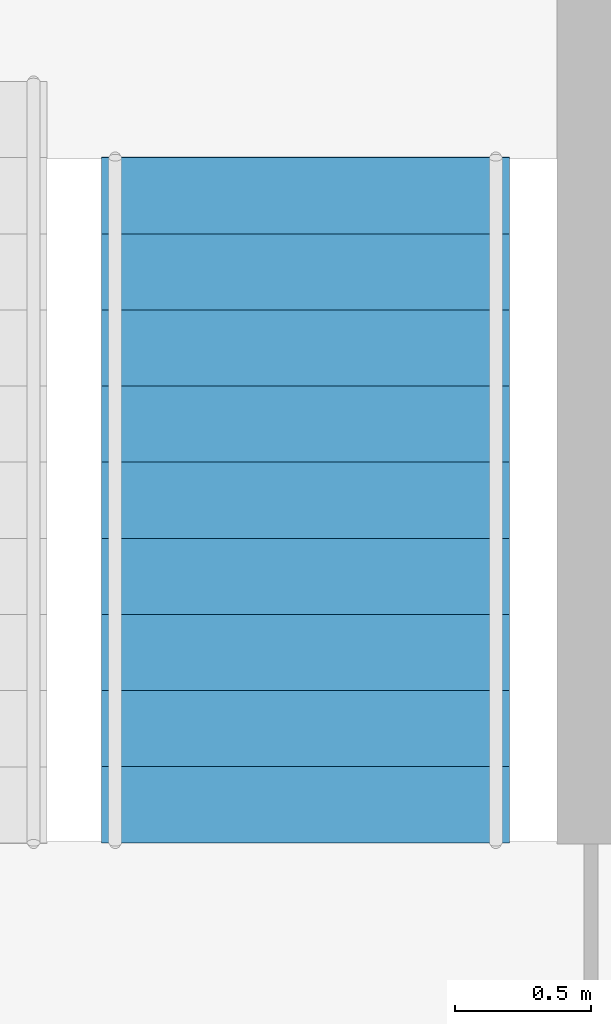
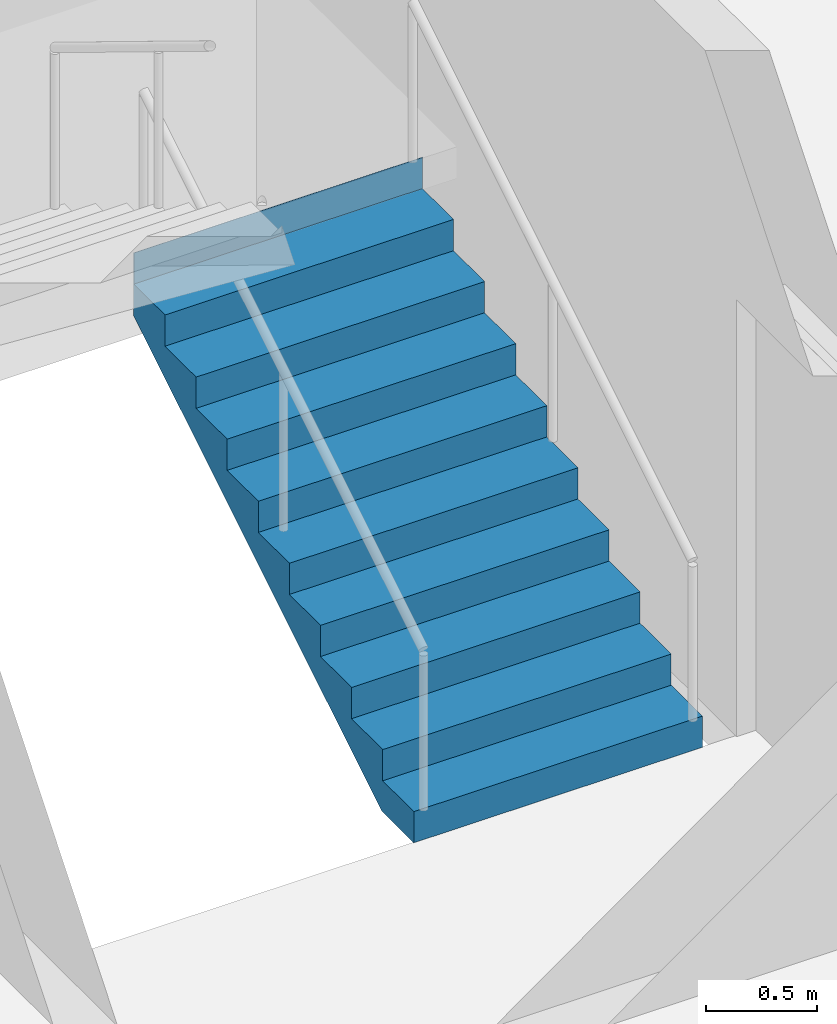
# One storey, part 76 of 90: 1 stair flight, 1 element without a shape of its own.
"""IFC4 building model written with IfcOpenShell, lengths in metres."""

from ifc_helpers import new_model, si_unit, direction, frame, origin, place, context, subcontext, project, spatial, polyline, outline, extrude, material, type_object, element, aggregate, save


model = new_model("IFC4")

# Units and contexts
model_context = context("Model", 3, precision=1e-05, world=origin(), true_north=direction((0.0, 1.0)))
body_context = subcontext(model_context, "Body", "Model", "MODEL_VIEW")
ifc_project = project(units=[si_unit("LENGTHUNIT", "METRE"), si_unit("AREAUNIT", "SQUARE_METRE"), si_unit("VOLUMEUNIT", "CUBIC_METRE"), si_unit("PLANEANGLEUNIT", "RADIAN"), si_unit("MASSUNIT", "GRAM", prefix="KILO")], contexts=[model_context])

# Site, building, storey
site_placement = place(None, origin())
site = spatial("IfcSite", under=ifc_project, at=site_placement, CompositionType="ELEMENT")
building_placement = place(site_placement, origin())
building = spatial("IfcBuilding", under=site, at=building_placement, Name="Kupolbacken Congress Centre", CompositionType="ELEMENT")
storey_placement = place(building_placement, frame((0.0, 0.0, 3.60009765625)))
storey = spatial("IfcBuildingStorey", under=building, at=storey_placement, Name="L01", CompositionType="ELEMENT", Elevation=3.60009765625)

# Stair, stair flight
ifc_material_1 = material(Name="Steel S355", Category="steel")
stair_type = type_object("IfcStairType", Name="ST2 stair 1500", PredefinedType="TWO_STRAIGHT_RUN_STAIR", material=ifc_material_1)
stair_placement = place(storey_placement, origin())
stair = element("IfcStair", 1, at=stair_placement, inside=storey, type_object=stair_type, Name="C/stair/BS3/L01", PredefinedType="NOTDEFINED")
ifc_material_2 = material(Name="Steel S355", Category="steel")
stair_flight_type = type_object("IfcStairFlightType", Name="FL3 stair flight 1500 x 10 risers", PredefinedType="STRAIGHT", material=ifc_material_2)
stair_flight_placement = place(storey_placement, frame((194.75, 126.955078125, 0.0), z_axis=(0.0, 0.0, 1.0), x_axis=(0.0, 1.0, 0.0)))
stair_flight = element("IfcStairFlight", 2, at=stair_flight_placement, type_object=stair_flight_type, Name="BS3 flight 1", NumberOfRisers=10, NumberOfTreads=9, PredefinedType="STRAIGHT", RiserHeight=0.171428571, TreadLength=0.28, context=body_context, shape_type="SweptSolid", body=[
    extrude(outline(polyline([(0.0, 0.0), (0.0, 0.0009765625), (0.0, 0.002197265625), (0.0, 0.003173828125), (0.0, 0.004150390625), (0.0, 0.00537109375), (0.0, 0.00634765625), (0.0, 0.007568359375), (0.0, 0.008544921875), (0.0, 0.009521484375), (0.0, 0.0107421875), (0.0, 0.01171875), (0.0, 0.0126953125), (0.0, 0.013916015625), (0.0, 0.014892578125), (0.0, 0.015869140625), (0.0, 0.01708984375), (0.0, 0.01806640625), (0.0, 0.019287109375), (0.0, 0.020263671875), (0.0, 0.021240234375), (0.0, 0.0224609375), (0.0, 0.0234375), (0.0, 0.0244140625), (0.0, 0.025634765625), (0.0, 0.026611328125), (0.0, 0.027587890625), (0.0, 0.02880859375), (0.0, 0.02978515625), (0.0, 0.03076171875), (0.0, 0.031982421875), (0.0, 0.032958984375), (0.0, 0.0341796875), (0.0, 0.03515625), (0.0, 0.0361328125), (0.0, 0.037353515625), (0.0, 0.038330078125), (0.0, 0.039306640625), (0.0, 0.04052734375), (0.0, 0.04150390625), (0.0, 0.04248046875), (0.0, 0.043701171875), (0.0, 0.044677734375), (0.0, 0.0458984375), (0.0, 0.046875), (0.0, 0.0478515625), (0.0, 0.049072265625), (0.0, 0.050048828125), (0.0, 0.051025390625), (0.0, 0.05224609375), (0.0, 0.05322265625), (0.0, 0.05419921875), (0.0, 0.055419921875), (0.0, 0.056396484375), (0.0, 0.0576171875), (0.0, 0.05859375), (0.0, 0.0595703125), (0.0, 0.060791015625), (0.0, 0.061767578125), (0.0, 0.062744140625), (0.0, 0.06396484375), (0.0, 0.06494140625), (0.0, 0.06591796875), (0.0, 0.067138671875), (0.0, 0.068115234375), (0.0, 0.069091796875), (0.0, 0.0703125), (0.0, 0.0712890625), (0.0, 0.072509765625), (0.0, 0.073486328125), (0.0, 0.074462890625), (0.0, 0.07568359375), (0.0, 0.07666015625), (0.0, 0.07763671875), (0.0, 0.078857421875), (0.0, 0.079833984375), (0.0, 0.080810546875), (0.0, 0.08203125), (0.0, 0.0830078125), (0.0, 0.084228515625), (0.0, 0.085205078125), (0.0, 0.086181640625), (0.0, 0.08740234375), (0.0, 0.08837890625), (0.0, 0.08935546875), (0.0, 0.090576171875), (0.0, 0.091552734375), (0.0, 0.092529296875), (0.0, 0.09375), (0.0, 0.0947265625), (0.0, 0.095947265625), (0.0, 0.096923828125), (0.0, 0.097900390625), (0.0, 0.09912109375), (0.0, 0.10009765625), (0.0, 0.10107421875), (0.0, 0.102294921875), (0.0, 0.103271484375), (0.0, 0.104248046875), (0.0, 0.10546875), (0.0, 0.1064453125), (0.0, 0.107421875), (0.0, 0.108642578125), (0.0, 0.109619140625), (0.0, 0.11083984375), (0.0, 0.11181640625), (0.0, 0.11279296875), (0.0, 0.114013671875), (0.0, 0.114990234375), (0.0, 0.115966796875), (0.0, 0.1171875), (0.0, 0.1181640625), (0.0, 0.119140625), (0.0, 0.120361328125), (0.0, 0.121337890625), (0.0, 0.12255859375), (0.0, 0.12353515625), (0.0, 0.12451171875), (0.0, 0.125732421875), (0.0, 0.126708984375), (0.0, 0.127685546875), (0.0, 0.12890625), (0.0, 0.1298828125), (0.0, 0.130859375), (0.0, 0.132080078125), (0.0, 0.133056640625), (0.0, 0.13427734375), (0.0, 0.13525390625), (0.0, 0.13623046875), (0.0, 0.137451171875), (0.0, 0.138427734375), (0.0, 0.139404296875), (0.0, 0.140625), (0.0, 0.1416015625), (0.0, 0.142578125), (0.0, 0.143798828125), (0.0, 0.144775390625), (0.0, 0.145751953125), (0.0, 0.14697265625), (0.0, 0.14794921875), (0.0, 0.149169921875), (0.0, 0.150146484375), (0.0, 0.151123046875), (0.0, 0.15234375), (0.0, 0.1533203125), (0.0, 0.154296875), (0.0, 0.155517578125), (0.0, 0.156494140625), (0.0, 0.157470703125), (0.0, 0.15869140625), (0.0, 0.15966796875), (0.0, 0.160888671875), (0.0, 0.161865234375), (0.0, 0.162841796875), (0.0, 0.1640625), (0.0, 0.1650390625), (0.0, 0.166015625), (0.0, 0.167236328125), (0.0, 0.168212890625), (0.0, 0.169189453125), (0.0, 0.17041015625), (0.0, 0.17138671875), (0.280029296875, 0.17138671875), (0.280029296875, 0.3427734375), (0.56005859375, 0.3427734375), (0.56005859375, 0.514404296875), (0.840087890625, 0.514404296875), (0.840087890625, 0.685791015625), (1.1201171875, 0.685791015625), (1.1201171875, 0.857177734375), (1.39990234375, 0.857177734375), (1.39990234375, 1.028564453125), (1.679931640625, 1.028564453125), (1.679931640625, 1.199951171875), (1.9599609375, 1.199951171875), (1.9599609375, 1.371337890625), (2.239990234375, 1.371337890625), (2.239990234375, 1.54296875), (2.52001953125, 1.54296875), (2.52001953125, 1.71435546875), (2.52197265625, 1.71435546875), (2.52197265625, 1.712158203125), (2.52197265625, 1.7099609375), (2.52197265625, 1.707763671875), (2.52197265625, 1.70556640625), (2.52197265625, 1.70361328125), (2.52197265625, 1.701416015625), (2.52197265625, 1.69921875), (2.52197265625, 1.697021484375), (2.52197265625, 1.69482421875), (2.52197265625, 1.692626953125), (2.52197265625, 1.690673828125), (2.52197265625, 1.6884765625), (2.52197265625, 1.686279296875), (2.52197265625, 1.68408203125), (2.52197265625, 1.681884765625), (2.52197265625, 1.6796875), (2.52197265625, 1.677734375), (2.52197265625, 1.675537109375), (2.52197265625, 1.67333984375), (2.52197265625, 1.671142578125), (2.52197265625, 1.6689453125), (2.52197265625, 1.666748046875), (2.52197265625, 1.664794921875), (2.52197265625, 1.66259765625), (2.52197265625, 1.660400390625), (2.52197265625, 1.658203125), (2.52197265625, 1.656005859375), (2.52197265625, 1.65380859375), (2.52197265625, 1.65185546875), (2.52197265625, 1.649658203125), (2.52197265625, 1.6474609375), (2.52197265625, 1.645263671875), (2.52197265625, 1.64306640625), (2.52197265625, 1.640869140625), (2.52197265625, 1.638916015625), (2.52197265625, 1.63671875), (2.52197265625, 1.634521484375), (2.52197265625, 1.63232421875), (2.52197265625, 1.630126953125), (2.52197265625, 1.6279296875), (2.52197265625, 1.6259765625), (2.52197265625, 1.623779296875), (2.52197265625, 1.62158203125), (2.52197265625, 1.619384765625), (2.52197265625, 1.6171875), (2.52197265625, 1.614990234375), (2.52197265625, 1.613037109375), (2.52197265625, 1.61083984375), (2.52197265625, 1.608642578125), (2.52197265625, 1.6064453125), (2.52197265625, 1.604248046875), (2.52197265625, 1.60205078125), (2.52197265625, 1.60009765625), (2.52197265625, 1.597900390625), (2.52197265625, 1.595703125), (2.52197265625, 1.593505859375), (2.52197265625, 1.59130859375), (2.52197265625, 1.589111328125), (2.52197265625, 1.587158203125), (2.52197265625, 1.5849609375), (2.52197265625, 1.582763671875), (2.52197265625, 1.58056640625), (2.52197265625, 1.578369140625), (2.52197265625, 1.576171875), (2.52197265625, 1.57421875), (2.52197265625, 1.572021484375), (2.52197265625, 1.56982421875), (2.52197265625, 1.567626953125), (2.52197265625, 1.5654296875), (2.52197265625, 1.563232421875), (2.52197265625, 1.561279296875), (2.52197265625, 1.55908203125), (2.52197265625, 1.556884765625), (2.52197265625, 1.5546875), (2.52197265625, 1.552490234375), (2.52197265625, 1.55029296875), (2.52197265625, 1.54833984375), (2.52197265625, 1.546142578125), (2.52197265625, 1.5439453125), (2.52197265625, 1.541748046875), (2.52197265625, 1.53955078125), (2.52197265625, 1.537353515625), (2.52197265625, 1.535400390625), (2.52197265625, 1.533203125), (2.52197265625, 1.531005859375), (2.52197265625, 1.52880859375), (2.52197265625, 1.526611328125), (2.52197265625, 1.5244140625), (2.52197265625, 1.5224609375), (2.52197265625, 1.520263671875), (2.52197265625, 1.51806640625), (2.52197265625, 1.515869140625), (2.52197265625, 1.513671875), (2.52197265625, 1.511474609375), (2.52197265625, 1.509521484375), (2.52197265625, 1.50732421875), (2.52197265625, 1.505126953125), (2.52197265625, 1.5029296875), (2.52197265625, 1.500732421875), (2.52197265625, 1.49853515625), (2.52197265625, 1.49658203125), (2.52197265625, 1.494384765625), (2.52197265625, 1.4921875), (2.52197265625, 1.489990234375), (2.52197265625, 1.48779296875), (2.52197265625, 1.485595703125), (2.52197265625, 1.483642578125), (2.52197265625, 1.4814453125), (2.52197265625, 1.479248046875), (2.52197265625, 1.47705078125), (2.52197265625, 1.474853515625), (2.52197265625, 1.47265625), (2.52197265625, 1.470703125), (2.52197265625, 1.468505859375), (2.52197265625, 1.46630859375), (2.52197265625, 1.464111328125), (2.52197265625, 1.4619140625), (2.52197265625, 1.459716796875), (2.52197265625, 1.457763671875), (2.52197265625, 1.45556640625), (2.52197265625, 1.453369140625), (2.52197265625, 1.451171875), (2.52197265625, 1.448974609375), (2.52197265625, 1.44677734375), (2.52197265625, 1.44482421875), (2.52197265625, 1.442626953125), (2.52197265625, 1.4404296875), (2.52197265625, 1.438232421875), (2.52197265625, 1.43603515625), (2.52197265625, 1.433837890625), (2.52197265625, 1.431884765625), (2.52197265625, 1.4296875), (2.52197265625, 1.427490234375), (2.52197265625, 1.42529296875), (2.52197265625, 1.423095703125), (2.52197265625, 1.4208984375), (2.52197265625, 1.4189453125), (2.52197265625, 1.416748046875), (2.52197265625, 1.41455078125), (2.52197265625, 1.412353515625), (2.52197265625, 1.41015625), (2.52197265625, 1.407958984375), (2.52197265625, 1.406005859375), (2.52197265625, 1.40380859375), (2.52197265625, 1.401611328125), (2.52197265625, 1.3994140625), (2.52197265625, 1.397216796875), (2.52197265625, 1.39501953125), (2.52197265625, 1.39306640625), (2.52197265625, 1.390869140625), (2.52197265625, 1.388671875), (2.52197265625, 1.386474609375), (2.52197265625, 1.38427734375), (2.52197265625, 1.382080078125), (2.52197265625, 1.380126953125), (2.52197265625, 1.3779296875), (2.52197265625, 1.375732421875), (2.52197265625, 1.37353515625), (2.52197265625, 1.371337890625), (2.52197265625, 1.369140625), (2.52197265625, 1.3671875), (0.2890625, 0.0), (0.0, 0.0)])), frame((0.0, 0.75, 0.0), z_axis=(0.0, -1.0, 0.0), x_axis=(1.0, 0.0, 0.0)), (0.0, 0.0, 1.0), 1.5),
])
aggregate(stair, [stair_flight])

save(model, "model.ifc")
